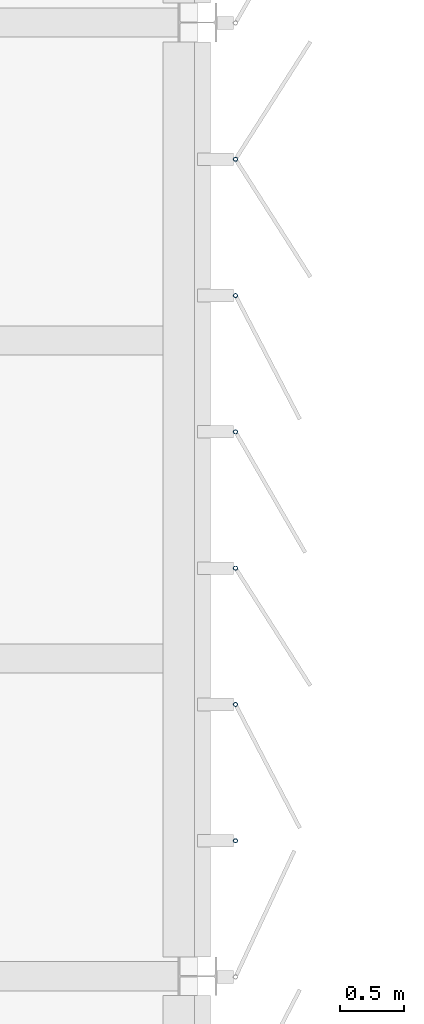
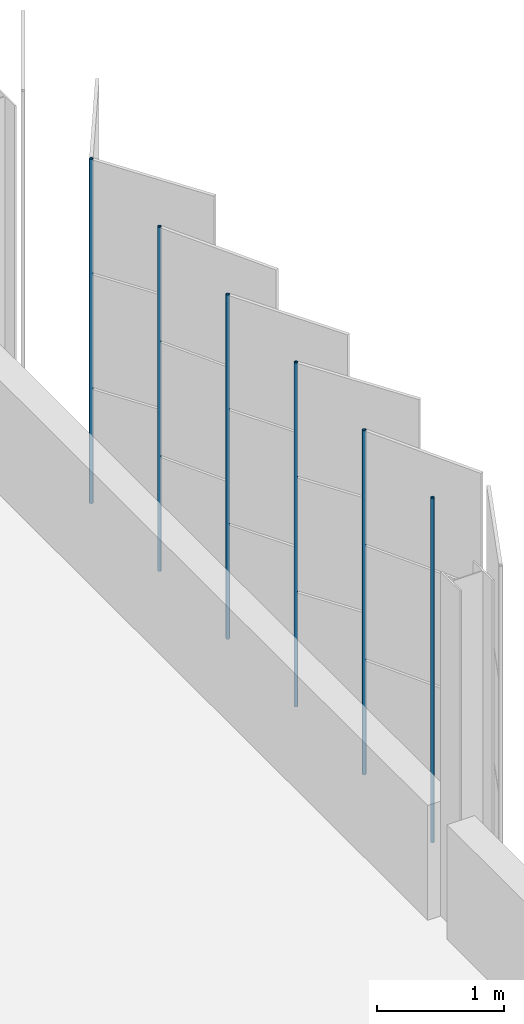
# One storey, part 99 of 199: 6 discrete accessories.
"""IFC4 building model written with IfcOpenShell, lengths in metres."""

import ifcopenshell
import ifcopenshell.guid

model = None  # the IFC model being written
_history = None  # IfcOwnerHistory: only IFC2X3 demands one
_inside = {}  # id of a spatial element -> (the spatial element, [elements in it])
_under = {}  # id of a project, library or spatial element -> (it, [spatial elements below it])
_declared = {}  # id of a project -> (the project, [libraries it declares])
_typed = {}  # id of a type object -> (the type object, [elements of that type])
_made_of = {}  # id of a material, layer set ... -> (it, [elements and type objects made of it])


def new_model(schema):
    """Start an empty IFC model of exactly this schema.

    Asked for "IFC4X3", IfcOpenShell would pick the latest addendum, in which some entities
    have other attributes; the version numbers below select the first issue.
    IFC2X3 requires an IfcOwnerHistory on every rooted entity: one is made here for all.
    """
    global model, _history
    if schema == "IFC4X3":
        model = ifcopenshell.file(schema_version=(4, 3, 0, 0))
    else:
        model = ifcopenshell.file(schema=schema)
    _inside.clear()
    _under.clear()
    _declared.clear()
    _typed.clear()
    _made_of.clear()
    _history = None
    if model.schema == "IFC2X3":
        org = make("IfcOrganization", Name="unknown")
        user = make(
            "IfcPersonAndOrganization",
            ThePerson=make("IfcPerson", FamilyName="unknown"),
            TheOrganization=org,
        )
        app = make(
            "IfcApplication",
            ApplicationDeveloper=org,
            Version="unknown",
            ApplicationFullName="unknown",
            ApplicationIdentifier="unknown",
        )
        _history = make(
            "IfcOwnerHistory",
            OwningUser=user,
            OwningApplication=app,
            ChangeAction="ADDED",
            CreationDate=0,
        )
    return model


def make(cls, **values):
    """One entity of the class cls with the attributes given. An attribute that is None is left unset."""
    return model.create_entity(
        cls, **{name: value for name, value in values.items() if value is not None}
    )


def rooted(cls, **values):
    """An entity with a GlobalId (a new one), such as an element, a storey or a relation."""
    return make(cls, GlobalId=ifcopenshell.guid.new(), OwnerHistory=_history, **values)


def si_unit(unit_type, name, prefix=None):
    """IfcSIUnit, for example si_unit("LENGTHUNIT", "METRE", prefix="MILLI")."""
    return make("IfcSIUnit", UnitType=unit_type, Prefix=prefix, Name=name)


def assignment(units):
    """IfcUnitAssignment: the units of a project."""
    return None if units is None else make("IfcUnitAssignment", Units=units)


def point(xyz):
    """IfcCartesianPoint."""
    return None if xyz is None else make("IfcCartesianPoint", Coordinates=xyz)


def direction(xyz):
    """IfcDirection."""
    return None if xyz is None else make("IfcDirection", DirectionRatios=xyz)


def frame(location, z_axis=None, x_axis=None):
    """IfcAxis2Placement3D, a coordinate frame: its origin and axes. An axis left out is left unset."""
    return make(
        "IfcAxis2Placement3D",
        Location=point(location),
        Axis=direction(z_axis),
        RefDirection=direction(x_axis),
    )


def frame_2d(location, x_axis=None):
    """IfcAxis2Placement2D, a coordinate frame in the plane: its origin and x axis."""
    return make(
        "IfcAxis2Placement2D", Location=point(location), RefDirection=direction(x_axis)
    )


def origin():
    """The frame at (0, 0, 0) with its axes left unset."""
    return frame((0.0, 0.0, 0.0))


def origin_2d():
    """The frame at (0, 0) in the plane with its x axis left unset."""
    return frame_2d((0.0, 0.0))


def place(relative_to, where):
    """IfcLocalPlacement: puts the frame where relative to a parent placement (None: the world)."""
    return make(
        "IfcLocalPlacement", PlacementRelTo=relative_to, RelativePlacement=where
    )


def context(
    kind, dimensions, precision=None, world=None, true_north=None, identifier=None
):
    """IfcGeometricRepresentationContext, for example the 3D "Model" context."""
    return make(
        "IfcGeometricRepresentationContext",
        ContextIdentifier=identifier,
        ContextType=kind,
        CoordinateSpaceDimension=dimensions,
        Precision=precision,
        WorldCoordinateSystem=world,
        TrueNorth=true_north,
    )


def subcontext(parent, identifier, kind, view, scale=None):
    """IfcGeometricRepresentationSubContext, for example "Body" below "Model"."""
    return make(
        "IfcGeometricRepresentationSubContext",
        ContextIdentifier=identifier,
        ContextType=kind,
        ParentContext=parent,
        TargetScale=scale,
        TargetView=view,
    )


def project(units=None, contexts=None):
    """IfcProject with its units and contexts."""
    return rooted(
        "IfcProject",
        Name="project",
        RepresentationContexts=contexts,
        UnitsInContext=assignment(units),
    )


def spatial(cls, under=None, at=None, **own):
    """A site, building, storey or space (cls), placed at a placement, below another one or the project."""
    s = rooted(cls, ObjectPlacement=at, **own)
    if under is not None:
        _under.setdefault(under.id(), (under, []))[1].append(s)
    return s


def profile(cls, at=None, kind="AREA", **sizes):
    """A parametric profile (cls). Its sizes go by their IFC names, for example OverallWidth=200.0."""
    return make(cls, ProfileType=kind, Position=at, **sizes)


def hollow_circle(**sizes):
    """IfcCircleHollowProfileDef."""
    return profile("IfcCircleHollowProfileDef", **sizes)


def extrude(swept, where, along, depth):
    """IfcExtrudedAreaSolid: the profile swept, set in the frame where, extruded along a direction by depth."""
    return make(
        "IfcExtrudedAreaSolid",
        SweptArea=swept,
        Position=where,
        ExtrudedDirection=direction(along),
        Depth=depth,
    )


def shape(context_of_items, identifier, shape_type, items):
    """IfcShapeRepresentation: the items that make up one representation, for example the "Body"."""
    return make(
        "IfcShapeRepresentation",
        ContextOfItems=context_of_items,
        RepresentationIdentifier=identifier,
        RepresentationType=shape_type,
        Items=items,
    )


def material(Name=None, Category=None):
    """IfcMaterial."""
    return make("IfcMaterial", Name=Name, Category=Category)


def material_profile(
    of_material, cross_section, Name=None, Category=None, Priority=None
):
    """IfcMaterialProfile: a cross section and its material."""
    return make(
        "IfcMaterialProfile",
        Name=Name,
        Material=of_material,
        Profile=cross_section,
        Priority=Priority,
        Category=Category,
    )


def profile_set(profiles, Name=None, composite=None):
    """IfcMaterialProfileSet."""
    return make(
        "IfcMaterialProfileSet",
        Name=Name,
        MaterialProfiles=profiles,
        CompositeProfile=composite,
    )


def made_of(thing, what):
    """Note that an element or type object is made of a material, layer set ...; save() writes the relation."""
    if what is not None:
        _made_of.setdefault(what.id(), (what, []))[1].append(thing)
    return thing


def type_object(cls, material=None, **own):
    """A type object (cls), such as IfcWallType, which elements share."""
    return made_of(rooted(cls, **own), material)


def element(
    cls,
    number,
    at=None,
    inside=None,
    cuts=None,
    type_object=None,
    material=None,
    context=None,
    identifier="Body",
    shape_type=None,
    held_by="IfcProductDefinitionShape",
    body=None,
    shapes=None,
    **own,
):
    """One element of the class cls, such as IfcWall. Its Tag is "e" and its number.

    at: its placement. inside: the storey or other place that contains it. cuts: it is an
    opening in that element (IfcRelVoidsElement). A single representation is given by context,
    identifier, shape_type and body (its items); several are given by shapes. held_by: the class
    of the entity that holds the representations. save() writes the other relations.
    """
    e = rooted(cls, Tag="e%d" % number, ObjectPlacement=at, **own)
    if body is not None:
        shapes = [shape(context, identifier, shape_type, body)]
    if shapes is not None:
        e.Representation = make(held_by, Representations=shapes)
    if inside is not None:
        _inside.setdefault(inside.id(), (inside, []))[1].append(e)
    if cuts is not None:
        rooted(
            "IfcRelVoidsElement", RelatingBuildingElement=cuts, RelatedOpeningElement=e
        )
    if type_object is not None:
        _typed.setdefault(type_object.id(), (type_object, []))[1].append(e)
    return made_of(e, material)


def aggregate(whole, parts):
    """IfcRelAggregates: a whole, such as a stair, and the parts it consists of."""
    return rooted("IfcRelAggregates", RelatingObject=whole, RelatedObjects=parts)


def save(model, path):
    """Write the relations noted so far, then the file.

    IfcRelAggregates (storeys below a building ...), IfcRelContainedInSpatialStructure (elements
    in a storey), IfcRelDefinesByType, IfcRelAssociatesMaterial and IfcRelDeclares: one each for
    every whole, place, type object, material and project.
    """
    for whole, parts in _under.values():
        aggregate(whole, parts)
    for where, things in _inside.values():
        rooted(
            "IfcRelContainedInSpatialStructure",
            RelatedElements=things,
            RelatingStructure=where,
        )
    for kind, things in _typed.values():
        rooted("IfcRelDefinesByType", RelatedObjects=things, RelatingType=kind)
    for what, things in _made_of.values():
        rooted("IfcRelAssociatesMaterial", RelatedObjects=things, RelatingMaterial=what)
    for by, libraries in _declared.values():
        rooted("IfcRelDeclares", RelatingContext=by, RelatedDefinitions=libraries)
    model.write(path)


model = new_model("IFC4")

# Units and contexts
model_context = context("Model", 3, precision=1e-05, world=origin(), true_north=direction((0.0, 1.0)))
body_context = subcontext(model_context, "Body", "Model", "MODEL_VIEW")
ifc_project = project(units=[si_unit("LENGTHUNIT", "METRE"), si_unit("AREAUNIT", "SQUARE_METRE"), si_unit("VOLUMEUNIT", "CUBIC_METRE"), si_unit("PLANEANGLEUNIT", "RADIAN"), si_unit("MASSUNIT", "GRAM", prefix="KILO")], contexts=[model_context])

# Site, building, storey
site_placement = place(None, origin())
site = spatial("IfcSite", under=ifc_project, at=site_placement, CompositionType="ELEMENT")
building_placement = place(site_placement, origin())
building = spatial("IfcBuilding", under=site, at=building_placement, Name="Parallax Yard Mobility Hub", CompositionType="ELEMENT")
storey_placement = place(building_placement, frame((0.0, 0.0, 9.89990234375)))
storey = spatial("IfcBuildingStorey", under=building, at=storey_placement, Name="L03", CompositionType="ELEMENT", Elevation=9.89990234375)

# Discrete accessories
ifc_material = material(Name="Steel ASTM A500 Gr C, hot-dip galvanised", Category="steel")
ifc_material_profile = material_profile(ifc_material, hollow_circle(Radius=0.016845703125, WallThickness=0.003173828125, at=origin_2d()), Name="CHS 33.7x3.2")
ifc_profile_set = profile_set([ifc_material_profile], Name="Steel ASTM A500 Gr C, hot-dip galvanised")
discrete_accessory_type = type_object("IfcDiscreteAccessoryType", Name="Hinge post CHS 33.7x3.2", PredefinedType="BRACKET", material=ifc_profile_set)
for number, where, z_axis, x_axis, name in (
    (1, (225.300048828125, 61.065673828125, 0.0), (0.0, 0.0, 1.0), (1.0, 0.0, 0.0), "Hinge post bay 37.2 level L03"),
    (2, (225.300048828125, 62.137451171875, 0.0), (0.0, 0.0, 1.0), (1.0, 0.0, 0.0), "Hinge post bay 37.3 level L03"),
    (3, (225.300048828125, 63.209228515625, 0.0), (0.0, 0.0, 1.0), (1.0, 0.0, 0.0), "Hinge post bay 37.4 level L03"),
    (4, (225.300048828125, 64.281005859375, 0.0), (0.0, 0.0, 1.0), (1.0, 0.0, 0.0), "Hinge post bay 37.5 level L03"),
    (5, (225.300048828125, 65.3525390625, 0.0), (0.0, 0.0, 1.0), (1.0, 0.0, 0.0), "Hinge post bay 37.6 level L03"),
    (6, (225.300048828125, 66.42431640625, 0.0), (0.0, 0.0, 1.0), (1.0, 0.0, 0.0), "Hinge post bay 37.7 level L03"),
):
    element("IfcDiscreteAccessory", number, at=place(storey_placement, frame(where, z_axis=z_axis, x_axis=x_axis)), inside=storey, type_object=discrete_accessory_type, Name=name, PredefinedType="BRACKET", context=body_context, shape_type="SweptSolid", body=[
        extrude(hollow_circle(Radius=0.016845703125, WallThickness=0.003173828125, at=origin_2d()), origin(), (0.0, 0.0, 1.0), 3.300048828125),
    ])

save(model, "model.ifc")
